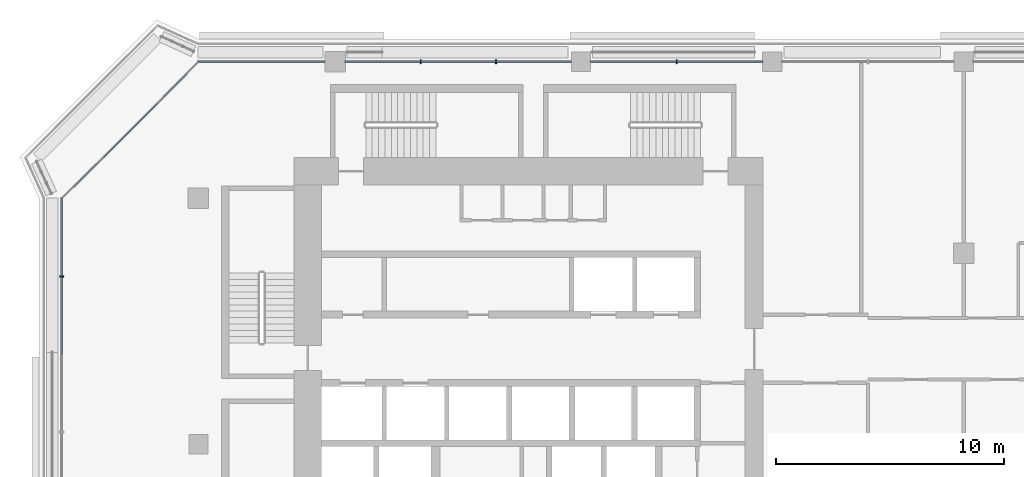
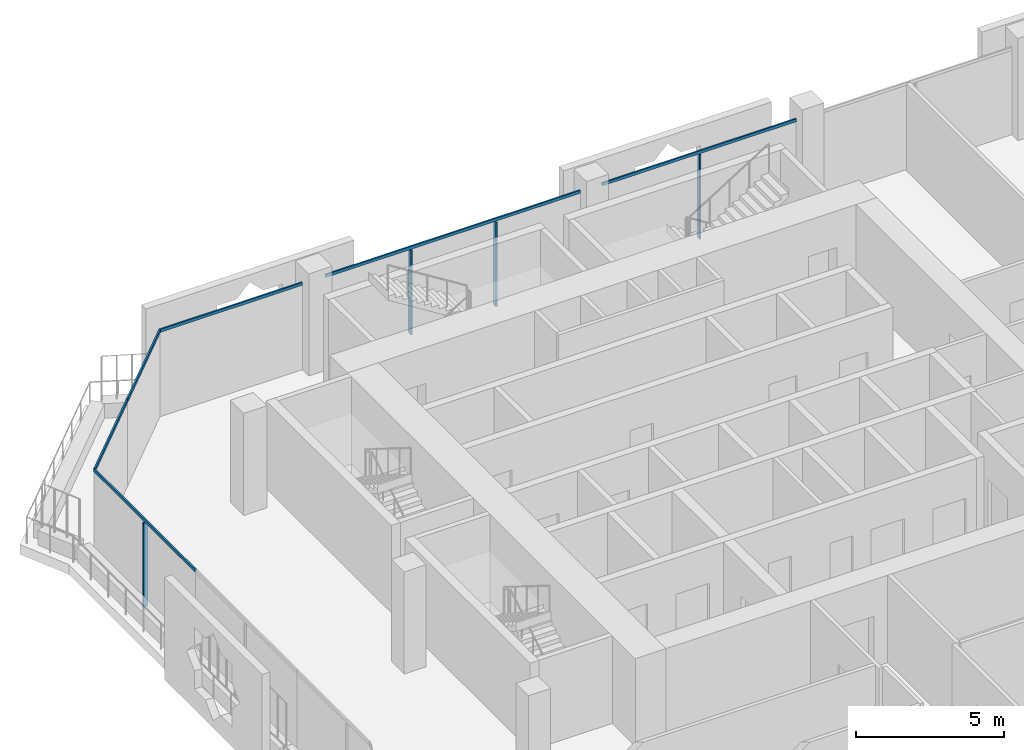
# One storey, part 5 of 21: 10 members, 3 elements without a shape of their own.
"""IFC4 building model written with IfcOpenShell, lengths in metres."""

from ifc_helpers import new_model, si_unit, direction, frame, origin, origin_2d, place, context, subcontext, project, spatial, rectangle, extrude, material, layer, layer_set, material_profile, profile_set, type_object, element, aggregate, save


model = new_model("IFC4")

# Units and contexts
model_context = context("Model", 3, precision=1e-05, world=origin(), true_north=direction((0.0, 1.0)))
body_context = subcontext(model_context, "Body", "Model", "MODEL_VIEW")
ifc_project = project(units=[si_unit("LENGTHUNIT", "METRE"), si_unit("AREAUNIT", "SQUARE_METRE"), si_unit("VOLUMEUNIT", "CUBIC_METRE"), si_unit("PLANEANGLEUNIT", "RADIAN"), si_unit("MASSUNIT", "GRAM", prefix="KILO")], contexts=[model_context])

# Site, building, storey
site_placement = place(None, origin())
site = spatial("IfcSite", under=ifc_project, at=site_placement, CompositionType="ELEMENT")
building_placement = place(site_placement, origin())
building = spatial("IfcBuilding", under=site, at=building_placement, Name="Kawkab Arch Medical Tower", CompositionType="ELEMENT")
storey_placement = place(building_placement, frame((0.0, 0.0, 243.199951171875)))
storey = spatial("IfcBuildingStorey", under=building, at=storey_placement, Name="L56", CompositionType="ELEMENT", Elevation=243.199951171875)

# Curtain wall, member
ifc_material_1 = material(Name="Bronze anodised aluminium curtain wall frame", Category="aluminium")
ifc_layer_1 = layer(ifc_material_1, 0.159912109375)
ifc_layer_set_1 = layer_set([ifc_layer_1], Name="Bronze anodised aluminium curtain wall frame")
curtain_wall_type_1 = type_object("IfcCurtainWallType", Name="CW1 ward curtain wall", PredefinedType="NOTDEFINED", material=ifc_layer_set_1)
placement = place(storey_placement, origin())
curtain_wall_1 = element("IfcCurtainWall", 1, at=placement, inside=storey, type_object=curtain_wall_type_1, Name="CW1 Ward curtain wall R01", PredefinedType="NOTDEFINED")
ifc_material_2 = material(Name="Bronze anodised aluminium curtain wall frame", Category="aluminium")
ifc_material_profile_1 = material_profile(ifc_material_2, rectangle(XDim=0.179931640625, YDim=0.06005859375, at=origin_2d()), Name="AL 60x180")
ifc_profile_set_1 = profile_set([ifc_material_profile_1], Name="Bronze anodised aluminium curtain wall frame")
member_type_1 = type_object("IfcMemberType", Name="CW1 mullion 60 x 180", PredefinedType="MULLION", material=ifc_profile_set_1)
member_1_placement = place(storey_placement, frame((-6.0, -9.419921875, 0.0), z_axis=(0.0, 0.0, 1.0), x_axis=(1.0, 0.0, 0.0)))
member_1 = element("IfcMember", 2, at=member_1_placement, type_object=member_type_1, Name="CW1 mullion 1.1", PredefinedType="MULLION", context=body_context, shape_type="SweptSolid", body=[
    extrude(rectangle(XDim=0.179931640625, YDim=0.06005859375, at=origin_2d()), origin(), (0.0, 0.0, 1.0), 3.47998046875),
])

# Curtain wall, members
curtain_wall_2 = element("IfcCurtainWall", 3, at=placement, inside=storey, type_object=curtain_wall_type_1, Name="CW1 Ward curtain wall R11", PredefinedType="NOTDEFINED")
member_2_placement = place(storey_placement, frame((21.0, 0.0, 0.0), z_axis=(0.0, 0.0, 1.0), x_axis=(0.0, -1.0, 0.0)))
member_2 = element("IfcMember", 4, at=member_2_placement, type_object=member_type_1, Name="CW1 mullion 5.1", PredefinedType="MULLION", context=body_context, shape_type="SweptSolid", body=[
    extrude(rectangle(XDim=0.179931640625, YDim=0.06005859375, at=origin_2d()), origin(), (0.0, 0.0, 1.0), 3.47998046875),
])
member_3_placement = place(storey_placement, frame((13.066650390625, 0.0, 0.0), z_axis=(0.0, 0.0, 1.0), x_axis=(0.0, -1.0, 0.0)))
member_3 = element("IfcMember", 5, at=member_3_placement, type_object=member_type_1, Name="CW1 mullion 6.1", PredefinedType="MULLION", context=body_context, shape_type="SweptSolid", body=[
    extrude(rectangle(XDim=0.179931640625, YDim=0.06005859375, at=origin_2d()), origin(), (0.0, 0.0, 1.0), 3.47998046875),
])
member_4_placement = place(storey_placement, frame((9.75830078125, 0.0, 0.0), z_axis=(0.0, 0.0, 1.0), x_axis=(0.0, -1.0, 0.0)))
member_4 = element("IfcMember", 6, at=member_4_placement, type_object=member_type_1, Name="CW1 mullion 6.2", PredefinedType="MULLION", context=body_context, shape_type="SweptSolid", body=[
    extrude(rectangle(XDim=0.179931640625, YDim=0.06005859375, at=origin_2d()), origin(), (0.0, 0.0, 1.0), 3.47998046875),
])

# Member
ifc_material_3 = material(Name="Bronze anodised aluminium curtain wall frame", Category="aluminium")
ifc_material_profile_2 = material_profile(ifc_material_3, rectangle(XDim=0.06005859375, YDim=0.1201171875, at=origin_2d()), Name="AL 60x120")
ifc_profile_set_2 = profile_set([ifc_material_profile_2], Name="Bronze anodised aluminium curtain wall frame")
member_type_2 = type_object("IfcMemberType", Name="CW1 transom 120 x 60", PredefinedType="USERDEFINED", material=ifc_profile_set_2)
member_5_placement = place(storey_placement, frame((-6.0, -6.0, 3.5400390625), z_axis=(0.0, -1.0, 0.0), x_axis=(1.0, 0.0, 0.0)))
member_5 = element("IfcMember", 7, at=member_5_placement, type_object=member_type_2, Name="CW1 transom 1", ObjectType="TRANSOM", PredefinedType="USERDEFINED", context=body_context, shape_type="SweptSolid", body=[
    extrude(rectangle(XDim=0.06005859375, YDim=0.1201171875, at=origin_2d()), origin(), (0.0, 0.0, 1.0), 6.840087890625),
])

aggregate(curtain_wall_1, [member_5, member_1])

member_6_placement = place(storey_placement, frame((24.77490234375, 0.0, 3.5400390625), z_axis=(-1.0, 0.0, 0.0), x_axis=(0.0, -1.0, 0.0)))
member_6 = element("IfcMember", 8, at=member_6_placement, type_object=member_type_2, Name="CW1 transom 5", ObjectType="TRANSOM", PredefinedType="USERDEFINED", context=body_context, shape_type="SweptSolid", body=[
    extrude(rectangle(XDim=0.06005859375, YDim=0.1201171875, at=origin_2d()), origin(), (0.0, 0.0, 1.0), 7.5498046875),
])

member_7_placement = place(storey_placement, frame((16.375, 0.0, 3.5400390625), z_axis=(-1.0, 0.0, 0.0), x_axis=(0.0, -1.0, 0.0)))
member_7 = element("IfcMember", 9, at=member_7_placement, type_object=member_type_2, Name="CW1 transom 6", ObjectType="TRANSOM", PredefinedType="USERDEFINED", context=body_context, shape_type="SweptSolid", body=[
    extrude(rectangle(XDim=0.06005859375, YDim=0.1201171875, at=origin_2d()), origin(), (0.0, 0.0, 1.0), 9.925048828125),
])

member_8_placement = place(storey_placement, frame((5.550048828125, 0.0, 3.5400390625), z_axis=(-1.0, 0.0, 0.0), x_axis=(0.0, -1.0, 0.0)))
member_8 = element("IfcMember", 10, at=member_8_placement, type_object=member_type_2, Name="CW1 transom 7", ObjectType="TRANSOM", PredefinedType="USERDEFINED", context=body_context, shape_type="SweptSolid", body=[
    extrude(rectangle(XDim=0.06005859375, YDim=0.1201171875, at=origin_2d()), origin(), (0.0, 0.0, 1.0), 5.550048828125),
])

aggregate(curtain_wall_2, [member_6, member_2, member_7, member_3, member_4, member_8])

# Curtain wall, members
ifc_material_4 = material(Name="Bronze anodised aluminium curtain wall frame", Category="aluminium")
ifc_layer_2 = layer(ifc_material_4, 0.159912109375)
ifc_layer_set_2 = layer_set([ifc_layer_2], Name="Bronze anodised aluminium curtain wall frame")
curtain_wall_type_2 = type_object("IfcCurtainWallType", Name="CW2 chamfer curtain wall", PredefinedType="NOTDEFINED", material=ifc_layer_set_2)
curtain_wall_3 = element("IfcCurtainWall", 11, at=placement, inside=storey, type_object=curtain_wall_type_2, Name="CW2 Chamfer curtain wall R12", PredefinedType="NOTDEFINED")
ifc_material_5 = material(Name="Bronze anodised aluminium curtain wall frame", Category="aluminium")
ifc_material_profile_3 = material_profile(ifc_material_5, rectangle(XDim=0.06005859375, YDim=0.139892578125, at=origin_2d()), Name="AL 60x140")
ifc_profile_set_3 = profile_set([ifc_material_profile_3], Name="Bronze anodised aluminium curtain wall frame")
member_type_3 = type_object("IfcMemberType", Name="CW2 transom 140 x 60", PredefinedType="USERDEFINED", material=ifc_profile_set_3)
member_9_placement = place(storey_placement, frame((0.0, 0.0, 3.530029296875), z_axis=(-0.707106781187, -0.707106781187, 0.0), x_axis=(0.707106781187, -0.707106781187, 0.0)))
member_9 = element("IfcMember", 12, at=member_9_placement, type_object=member_type_3, Name="CW2 transom 1", ObjectType="TRANSOM", PredefinedType="USERDEFINED", context=body_context, shape_type="SweptSolid", body=[
    extrude(rectangle(XDim=0.06005859375, YDim=0.139892578125, at=origin_2d()), origin(), (0.0, 0.0, 1.0), 4.24267578125),
])
member_10_placement = place(storey_placement, frame((-3.0, -3.0, 3.530029296875), z_axis=(-0.707106781187, -0.707106781187, 0.0), x_axis=(0.707106781187, -0.707106781187, 0.0)))
member_10 = element("IfcMember", 13, at=member_10_placement, type_object=member_type_3, Name="CW2 transom 2", ObjectType="TRANSOM", PredefinedType="USERDEFINED", context=body_context, shape_type="SweptSolid", body=[
    extrude(rectangle(XDim=0.06005859375, YDim=0.139892578125, at=origin_2d()), origin(), (0.0, 0.0, 1.0), 4.24267578125),
])
aggregate(curtain_wall_3, [member_9, member_10])

save(model, "model.ifc")
